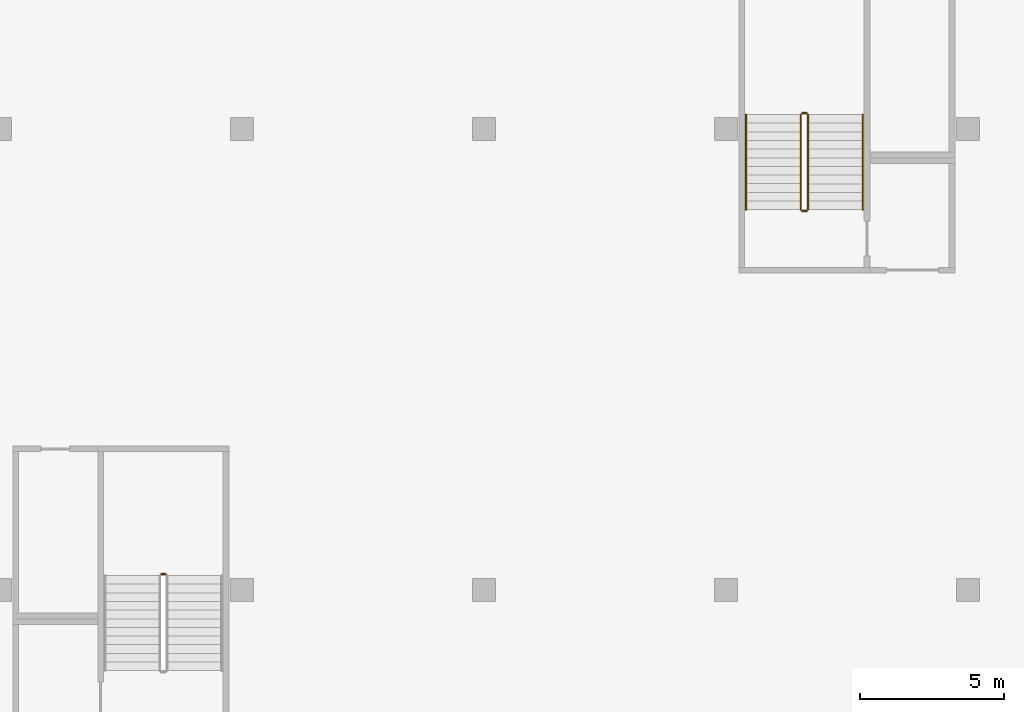
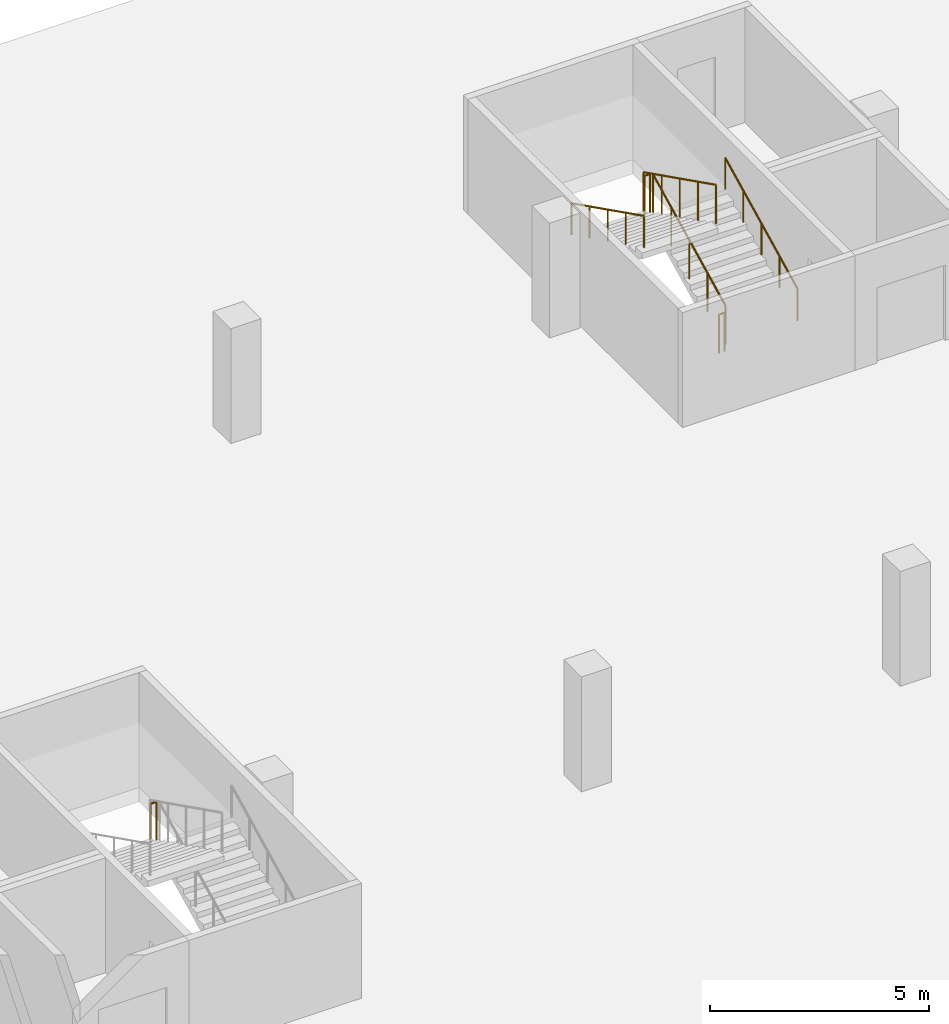
# One storey, part 36 of 37: 7 railings.
"""IFC4 building model written with IfcOpenShell, lengths in metres."""

from ifc_helpers import new_model, si_unit, direction, frame, origin, origin_2d, place, context, subcontext, project, spatial, circle, extrude, material, type_object, element, save


model = new_model("IFC4")

# Units and contexts
model_context = context("Model", 3, precision=1e-05, world=origin(), true_north=direction((0.0, 1.0)))
body_context = subcontext(model_context, "Body", "Model", "MODEL_VIEW")
ifc_project = project(units=[si_unit("LENGTHUNIT", "METRE"), si_unit("AREAUNIT", "SQUARE_METRE"), si_unit("VOLUMEUNIT", "CUBIC_METRE"), si_unit("PLANEANGLEUNIT", "RADIAN"), si_unit("MASSUNIT", "GRAM", prefix="KILO")], contexts=[model_context])

# Site, building, storey
site_placement = place(None, origin())
site = spatial("IfcSite", under=ifc_project, at=site_placement, CompositionType="ELEMENT")
building_placement = place(site_placement, origin())
building = spatial("IfcBuilding", under=site, at=building_placement, Name="Tamra Quay Hotel Tower", CompositionType="ELEMENT")
storey_placement = place(building_placement, frame((0.0, 0.0, -7.199951171875)))
storey = spatial("IfcBuildingStorey", under=building, at=storey_placement, Name="B2", CompositionType="ELEMENT", Elevation=-7.199951171875)

# Railings
ifc_material_1 = material(Name="Basement stair guard 1100")
railing_type_1 = type_object("IfcRailingType", Name="Basement stair guard 1100", PredefinedType="GUARDRAIL", material=ifc_material_1)
railing_1_placement = place(storey_placement, frame((-19.050048828125, 61.199951171875, 0.14990234375)))
element("IfcRailing", 1, at=railing_1_placement, inside=storey, type_object=railing_type_1, Name="BSG", PredefinedType="GUARDRAIL", context=body_context, shape_type="SweptSolid", body=[
    extrude(circle(Radius=0.02392578125, at=origin_2d()), frame((0.0, 0.0, 1.076171875), z_axis=(0.0, 0.894413956696, 0.447240063129), x_axis=(-1.0, 0.0, 0.0)), (0.0, 0.0, 1.0), 3.689697265625),
    extrude(circle(Radius=0.02099609375, at=origin_2d()), origin(), (0.0, 0.0, 1.0), 1.052001953125),
    extrude(circle(Radius=0.02099609375, at=origin_2d()), frame((0.0, 0.824951171875, 0.41259765625)), (0.0, 0.0, 1.0), 1.052001953125),
    extrude(circle(Radius=0.02099609375, at=origin_2d()), frame((0.0, 1.64990234375, 0.8251953125)), (0.0, 0.0, 1.0), 1.052001953125),
    extrude(circle(Radius=0.02099609375, at=origin_2d()), frame((0.0, 2.47509765625, 1.237548828125)), (0.0, 0.0, 1.0), 1.052001953125),
    extrude(circle(Radius=0.02099609375, at=origin_2d()), frame((0.0, 3.300048828125, 1.650146484375)), (0.0, 0.0, 1.0), 1.052001953125),
])
railing_2_placement = place(storey_placement, frame((-19.10009765625, 64.550048828125, 1.800048828125)))
element("IfcRailing", 2, at=railing_2_placement, inside=storey, type_object=railing_type_1, Name="BSG", PredefinedType="GUARDRAIL", context=body_context, shape_type="SweptSolid", body=[
    extrude(circle(Radius=0.02392578125, at=origin_2d()), frame((0.0, 0.0, 1.076171875), z_axis=(-1.0, 0.0, 0.0), x_axis=(0.0, -1.0, 0.0)), (0.0, 0.0, 1.0), 0.14990234375),
    extrude(circle(Radius=0.02099609375, at=origin_2d()), origin(), (0.0, 0.0, 1.0), 1.052001953125),
    extrude(circle(Radius=0.02099609375, at=origin_2d()), frame((-0.14990234375, 0.0, 0.0)), (0.0, 0.0, 1.0), 1.052001953125),
])
railing_3_placement = place(storey_placement, frame((-19.300048828125, 64.5, 1.949951171875)))
element("IfcRailing", 3, at=railing_3_placement, inside=storey, type_object=railing_type_1, Name="BSG", PredefinedType="GUARDRAIL", context=body_context, shape_type="SweptSolid", body=[
    extrude(circle(Radius=0.02392578125, at=origin_2d()), frame((0.0, 0.0, 1.076171875), z_axis=(0.0, -0.894440424912, 0.447187126696), x_axis=(1.0, 0.0, 0.0)), (0.0, 0.0, 1.0), 3.689453125),
    extrude(circle(Radius=0.02099609375, at=origin_2d()), origin(), (0.0, 0.0, 1.0), 1.052001953125),
    extrude(circle(Radius=0.02099609375, at=origin_2d()), frame((0.0, -0.824951171875, 0.41259765625)), (0.0, 0.0, 1.0), 1.052001953125),
    extrude(circle(Radius=0.02099609375, at=origin_2d()), frame((0.0, -1.64990234375, 0.824951171875)), (0.0, 0.0, 1.0), 1.052001953125),
    extrude(circle(Radius=0.02099609375, at=origin_2d()), frame((0.0, -2.47509765625, 1.2373046875)), (0.0, 0.0, 1.0), 1.052001953125),
    extrude(circle(Radius=0.02099609375, at=origin_2d()), frame((0.0, -3.300048828125, 1.64990234375)), (0.0, 0.0, 1.0), 1.052001953125),
])
for number, where, name in (
    (4, (-19.10009765625, 61.14990234375, 0.0), "BSG"),
    (5, (-41.35009765625, 48.550048828125, 1.800048828125), "BSG"),
):
    element("IfcRailing", number, at=place(storey_placement, frame(where)), inside=storey, type_object=railing_type_1, Name=name, PredefinedType="GUARDRAIL", context=body_context, shape_type="SweptSolid", body=[
        extrude(circle(Radius=0.02392578125, at=origin_2d()), frame((0.0, 0.0, 1.076171875), z_axis=(-1.0, 0.0, 0.0), x_axis=(0.0, -1.0, 0.0)), (0.0, 0.0, 1.0), 0.14990234375),
        extrude(circle(Radius=0.02099609375, at=origin_2d()), origin(), (0.0, 0.0, 1.0), 1.052001953125),
        extrude(circle(Radius=0.02099609375, at=origin_2d()), frame((-0.14990234375, 0.0, 0.0)), (0.0, 0.0, 1.0), 1.052001953125),
    ])
ifc_material_2 = material(Name="Basement stair handrail 900")
railing_type_2 = type_object("IfcRailingType", Name="Basement stair handrail 900", PredefinedType="HANDRAIL", material=ifc_material_2)
railing_4_placement = place(storey_placement, frame((-17.14990234375, 61.199951171875, 0.14990234375)))
element("IfcRailing", 6, at=railing_4_placement, inside=storey, type_object=railing_type_2, Name="BSH", PredefinedType="HANDRAIL", context=body_context, shape_type="SweptSolid", body=[
    extrude(circle(Radius=0.02392578125, at=origin_2d()), frame((0.0, 0.0, 0.8759765625), z_axis=(0.0, 0.894413956696, 0.447240063129), x_axis=(-1.0, 0.0, 0.0)), (0.0, 0.0, 1.0), 3.689697265625),
    extrude(circle(Radius=0.02099609375, at=origin_2d()), origin(), (0.0, 0.0, 1.0), 0.851806640625),
    extrude(circle(Radius=0.02099609375, at=origin_2d()), frame((0.0, 0.824951171875, 0.41259765625)), (0.0, 0.0, 1.0), 0.851806640625),
    extrude(circle(Radius=0.02099609375, at=origin_2d()), frame((0.0, 1.64990234375, 0.8251953125)), (0.0, 0.0, 1.0), 0.851806640625),
    extrude(circle(Radius=0.02099609375, at=origin_2d()), frame((0.0, 2.47509765625, 1.237548828125)), (0.0, 0.0, 1.0), 0.851806640625),
    extrude(circle(Radius=0.02099609375, at=origin_2d()), frame((0.0, 3.300048828125, 1.650146484375)), (0.0, 0.0, 1.0), 0.851806640625),
])
railing_5_placement = place(storey_placement, frame((-21.199951171875, 64.5, 1.949951171875)))
element("IfcRailing", 7, at=railing_5_placement, inside=storey, type_object=railing_type_2, Name="BSH", PredefinedType="HANDRAIL", context=body_context, shape_type="SweptSolid", body=[
    extrude(circle(Radius=0.02392578125, at=origin_2d()), frame((0.0, 0.0, 0.8759765625), z_axis=(0.0, -0.894440424912, 0.447187126696), x_axis=(1.0, 0.0, 0.0)), (0.0, 0.0, 1.0), 3.689453125),
    extrude(circle(Radius=0.02099609375, at=origin_2d()), origin(), (0.0, 0.0, 1.0), 0.851806640625),
    extrude(circle(Radius=0.02099609375, at=origin_2d()), frame((0.0, -0.824951171875, 0.41259765625)), (0.0, 0.0, 1.0), 0.851806640625),
    extrude(circle(Radius=0.02099609375, at=origin_2d()), frame((0.0, -1.64990234375, 0.824951171875)), (0.0, 0.0, 1.0), 0.851806640625),
    extrude(circle(Radius=0.02099609375, at=origin_2d()), frame((0.0, -2.47509765625, 1.2373046875)), (0.0, 0.0, 1.0), 0.851806640625),
    extrude(circle(Radius=0.02099609375, at=origin_2d()), frame((0.0, -3.300048828125, 1.64990234375)), (0.0, 0.0, 1.0), 0.851806640625),
])

save(model, "model.ifc")
